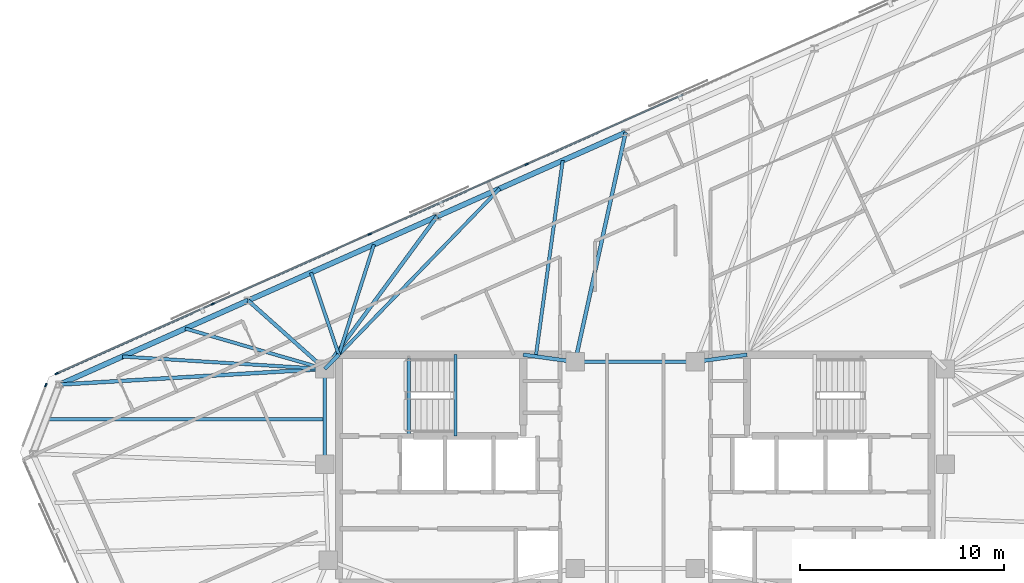
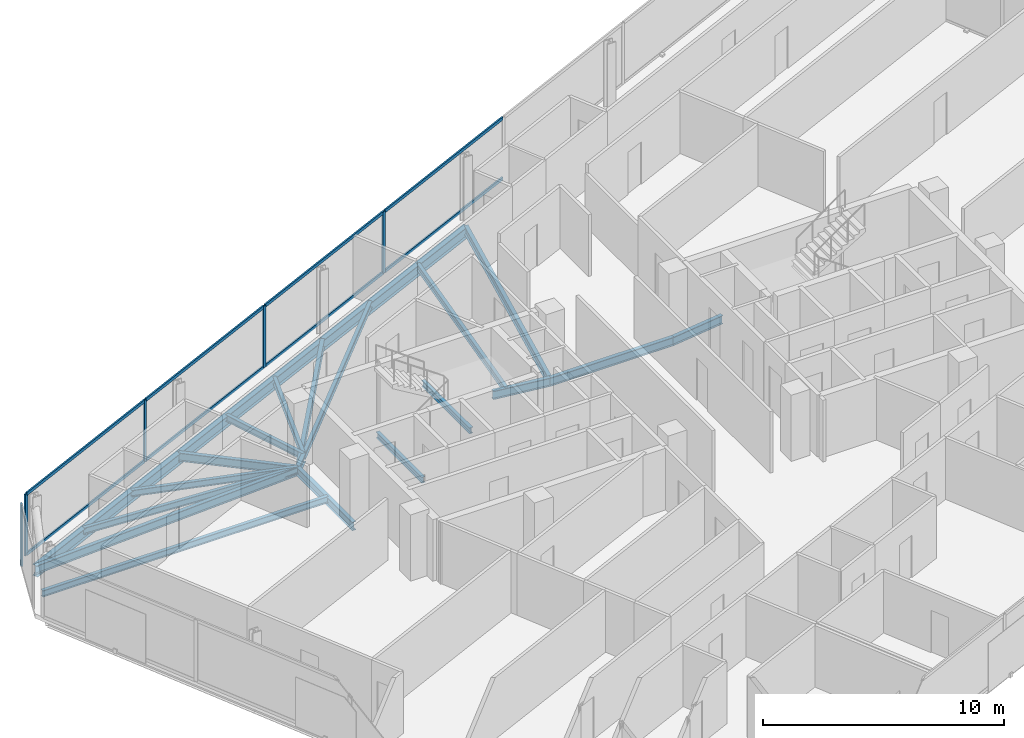
# One storey, part 9 of 19: 21 beams, 13 members, 2 elements without a shape of their own.
"""IFC4 building model written with IfcOpenShell, lengths in metres."""

from ifc_helpers import new_model, si_unit, direction, frame, origin, origin_2d, place, context, subcontext, project, spatial, rectangle, i_section, extrude, material, material_profile, profile_set, type_object, element, aggregate, save


model = new_model("IFC4")

# Units and contexts
model_context = context("Model", 3, precision=1e-05, world=origin(), true_north=direction((0.0, 1.0)))
body_context = subcontext(model_context, "Body", "Model", "MODEL_VIEW")
ifc_project = project(units=[si_unit("LENGTHUNIT", "METRE"), si_unit("AREAUNIT", "SQUARE_METRE"), si_unit("VOLUMEUNIT", "CUBIC_METRE"), si_unit("PLANEANGLEUNIT", "RADIAN"), si_unit("MASSUNIT", "GRAM", prefix="KILO")], contexts=[model_context])

# Site, building, storey
site_placement = place(None, origin())
site = spatial("IfcSite", under=ifc_project, at=site_placement, CompositionType="ELEMENT")
building_placement = place(site_placement, origin())
building = spatial("IfcBuilding", under=site, at=building_placement, Name="Menara Jurai Vektor", CompositionType="ELEMENT")
storey_placement = place(building_placement, frame((0.0, 0.0, 268.89990234375)))
storey = spatial("IfcBuildingStorey", under=building, at=storey_placement, Name="L72", CompositionType="ELEMENT", Elevation=268.89990234375)

# Curtain wall, members
ifc_material_1 = material(Name="Anodised Pale Aluminium & Low-E Double Glazing", Category="aluminium")
curtain_wall_type = type_object("IfcCurtainWallType", Name="CW-BLK5", PredefinedType="NOTDEFINED", material=ifc_material_1)
curtain_wall_1_placement = place(storey_placement, origin())
curtain_wall_1 = element("IfcCurtainWall", 1, at=curtain_wall_1_placement, inside=storey, type_object=curtain_wall_type, Name="Unitised Curtain Wall L72 F05", PredefinedType="NOTDEFINED")
ifc_material_2 = material(Name="Anodised Pale Aluminium Mullion", Category="aluminium")
ifc_material_profile_1 = material_profile(ifc_material_2, rectangle(XDim=0.074951171875, YDim=0.175048828125, at=origin_2d()), Name="ALU MUL 75x175")
ifc_profile_set_1 = profile_set([ifc_material_profile_1], Name="Anodised Pale Aluminium Mullion")
member_type_1 = type_object("IfcMemberType", Name="CW-BLK5-MUL", PredefinedType="MULLION", material=ifc_profile_set_1)
member_1_placement = place(storey_placement, frame((-5.327880859375, 14.957275390625, 0.0), z_axis=(0.0, 0.0, 1.0), x_axis=(0.406735498684, -0.913545967158, 0.0)))
member_1 = element("IfcMember", 2, at=member_1_placement, type_object=member_type_1, Name="CW-05 mullion 4", PredefinedType="MULLION", context=body_context, shape_type="SweptSolid", body=[
    extrude(rectangle(XDim=0.074951171875, YDim=0.175048828125, at=origin_2d()), origin(), (0.0, 0.0, 1.0), 3.125),
])
member_2_placement = place(storey_placement, frame((-13.038330078125, 11.5244140625, 0.0), z_axis=(0.0, 0.0, 1.0), x_axis=(0.406735498684, -0.913545967158, 0.0)))
member_2 = element("IfcMember", 3, at=member_2_placement, type_object=member_type_1, Name="CW-05 mullion 5", PredefinedType="MULLION", context=body_context, shape_type="SweptSolid", body=[
    extrude(rectangle(XDim=0.074951171875, YDim=0.175048828125, at=origin_2d()), origin(), (0.0, 0.0, 1.0), 3.125),
])
member_3_placement = place(storey_placement, frame((-20.748779296875, 8.091552734375, 0.0), z_axis=(0.0, 0.0, 1.0), x_axis=(0.406735498684, -0.913545967158, 0.0)))
member_3 = element("IfcMember", 4, at=member_3_placement, type_object=member_type_1, Name="CW-05 mullion 6", PredefinedType="MULLION", context=body_context, shape_type="SweptSolid", body=[
    extrude(rectangle(XDim=0.074951171875, YDim=0.175048828125, at=origin_2d()), origin(), (0.0, 0.0, 1.0), 3.125),
])
member_4_placement = place(storey_placement, frame((-28.4248046875, 4.674072265625, 0.0), z_axis=(0.0, 0.0, 1.0), x_axis=(0.406735498684, -0.913545967158, 0.0)))
member_4 = element("IfcMember", 5, at=member_4_placement, type_object=member_type_1, Name="CW-05 mullion 7", PredefinedType="MULLION", context=body_context, shape_type="SweptSolid", body=[
    extrude(rectangle(XDim=0.074951171875, YDim=0.175048828125, at=origin_2d()), origin(), (0.0, 0.0, 1.0), 3.125),
])

# Curtain wall, member
curtain_wall_2_placement = place(storey_placement, origin())
curtain_wall_2 = element("IfcCurtainWall", 6, at=curtain_wall_2_placement, inside=storey, type_object=curtain_wall_type, Name="Unitised Curtain Wall L72 F06", PredefinedType="NOTDEFINED")
member_5_placement = place(storey_placement, frame((-28.955810546875, 4.114501953125, 0.0), z_axis=(0.0, 0.0, 1.0), x_axis=(0.933578193639, -0.358373766287, 0.0)))
member_5 = element("IfcMember", 7, at=member_5_placement, type_object=member_type_1, Name="CW-05 mullion 1", PredefinedType="MULLION", context=body_context, shape_type="SweptSolid", body=[
    extrude(rectangle(XDim=0.074951171875, YDim=0.175048828125, at=origin_2d()), origin(), (0.0, 0.0, 1.0), 3.125),
])
aggregate(curtain_wall_2, [member_5])

# Member
ifc_material_3 = material(Name="Anodised Pale Aluminium Transom", Category="aluminium")
ifc_material_profile_2 = material_profile(ifc_material_3, rectangle(XDim=0.074951171875, YDim=0.155029296875, at=origin_2d()), Name="ALU TRN 75x155")
ifc_profile_set_2 = profile_set([ifc_material_profile_2], Name="Anodised Pale Aluminium Transom")
member_type_2 = type_object("IfcMemberType", Name="CW-BLK5-TRN", PredefinedType="USERDEFINED", material=ifc_profile_set_2)
member_6_placement = place(storey_placement, frame((2.34814453125, 18.375, 0.03759765625), z_axis=(-0.913546575494, -0.406734132331, 0.0), x_axis=(0.406734132331, -0.913546575494, 0.0)))
member_6 = element("IfcMember", 8, at=member_6_placement, type_object=member_type_2, Name="CW-05 transom 3.1", ObjectType="TRANSOM", PredefinedType="USERDEFINED", context=body_context, shape_type="SweptSolid", body=[
    extrude(rectangle(XDim=0.074951171875, YDim=0.155029296875, at=origin_2d()), origin(), (0.0, 0.0, 1.0), 8.364990234375),
])

member_7_placement = place(storey_placement, frame((2.34814453125, 18.375, 3.087646484375), z_axis=(-0.913546575494, -0.406734132331, 0.0), x_axis=(0.406734132331, -0.913546575494, 0.0)))
member_7 = element("IfcMember", 9, at=member_7_placement, type_object=member_type_2, Name="CW-05 transom 3.2", ObjectType="TRANSOM", PredefinedType="USERDEFINED", context=body_context, shape_type="SweptSolid", body=[
    extrude(rectangle(XDim=0.074951171875, YDim=0.155029296875, at=origin_2d()), origin(), (0.0, 0.0, 1.0), 8.364990234375),
])

member_8_placement = place(storey_placement, frame((-5.3623046875, 14.942138671875, 0.03759765625), z_axis=(-0.913546575494, -0.406734132331, 0.0), x_axis=(0.406734132331, -0.913546575494, 0.0)))
member_8 = element("IfcMember", 10, at=member_8_placement, type_object=member_type_2, Name="CW-05 transom 4.1", ObjectType="TRANSOM", PredefinedType="USERDEFINED", context=body_context, shape_type="SweptSolid", body=[
    extrude(rectangle(XDim=0.074951171875, YDim=0.155029296875, at=origin_2d()), origin(), (0.0, 0.0, 1.0), 8.364990234375),
])

member_9_placement = place(storey_placement, frame((-5.3623046875, 14.942138671875, 3.087646484375), z_axis=(-0.913546575494, -0.406734132331, 0.0), x_axis=(0.406734132331, -0.913546575494, 0.0)))
member_9 = element("IfcMember", 11, at=member_9_placement, type_object=member_type_2, Name="CW-05 transom 4.2", ObjectType="TRANSOM", PredefinedType="USERDEFINED", context=body_context, shape_type="SweptSolid", body=[
    extrude(rectangle(XDim=0.074951171875, YDim=0.155029296875, at=origin_2d()), origin(), (0.0, 0.0, 1.0), 8.364990234375),
])

member_10_placement = place(storey_placement, frame((-13.072509765625, 11.50927734375, 0.03759765625), z_axis=(-0.913546575494, -0.406734132331, 0.0), x_axis=(0.406734132331, -0.913546575494, 0.0)))
member_10 = element("IfcMember", 12, at=member_10_placement, type_object=member_type_2, Name="CW-05 transom 5.1", ObjectType="TRANSOM", PredefinedType="USERDEFINED", context=body_context, shape_type="SweptSolid", body=[
    extrude(rectangle(XDim=0.074951171875, YDim=0.155029296875, at=origin_2d()), origin(), (0.0, 0.0, 1.0), 8.364990234375),
])

member_11_placement = place(storey_placement, frame((-13.072509765625, 11.50927734375, 3.087646484375), z_axis=(-0.913546575494, -0.406734132331, 0.0), x_axis=(0.406734132331, -0.913546575494, 0.0)))
member_11 = element("IfcMember", 13, at=member_11_placement, type_object=member_type_2, Name="CW-05 transom 5.2", ObjectType="TRANSOM", PredefinedType="USERDEFINED", context=body_context, shape_type="SweptSolid", body=[
    extrude(rectangle(XDim=0.074951171875, YDim=0.155029296875, at=origin_2d()), origin(), (0.0, 0.0, 1.0), 8.364990234375),
])

member_12_placement = place(storey_placement, frame((-20.782958984375, 8.076416015625, 0.03759765625), z_axis=(-0.91353811338, -0.406753138159, 0.0), x_axis=(0.406753138159, -0.91353811338, 0.0)))
member_12 = element("IfcMember", 14, at=member_12_placement, type_object=member_type_2, Name="CW-05 transom 6.1", ObjectType="TRANSOM", PredefinedType="USERDEFINED", context=body_context, shape_type="SweptSolid", body=[
    extrude(rectangle(XDim=0.074951171875, YDim=0.155029296875, at=origin_2d()), origin(), (0.0, 0.0, 1.0), 8.327392578125),
])

member_13_placement = place(storey_placement, frame((-20.782958984375, 8.076416015625, 3.087646484375), z_axis=(-0.91353811338, -0.406753138159, 0.0), x_axis=(0.406753138159, -0.91353811338, 0.0)))
member_13 = element("IfcMember", 15, at=member_13_placement, type_object=member_type_2, Name="CW-05 transom 6.2", ObjectType="TRANSOM", PredefinedType="USERDEFINED", context=body_context, shape_type="SweptSolid", body=[
    extrude(rectangle(XDim=0.074951171875, YDim=0.155029296875, at=origin_2d()), origin(), (0.0, 0.0, 1.0), 8.327392578125),
])

aggregate(curtain_wall_1, [member_1, member_2, member_3, member_4, member_6, member_7, member_8, member_9, member_10, member_11, member_12, member_13])

# Beams
ifc_material_4 = material(Name="Steel S355", Category="steel")
ifc_material_profile_3 = material_profile(ifc_material_4, i_section(OverallWidth=0.18505859375, OverallDepth=0.429931640625, WebThickness=0.010986328125, FlangeThickness=0.01806640625, at=origin_2d()), Name="PG 430x185x76")
ifc_profile_set_3 = profile_set([ifc_material_profile_3], Name="Steel S355")
beam_type_1 = type_object("IfcBeamType", Name="STR-BM-430", PredefinedType="BEAM", material=ifc_profile_set_3)
beam_1_placement = place(storey_placement, frame((-15.25, 4.89990234375, -0.43994140625), z_axis=(0.701871936926, 0.712303154672, 0.0), x_axis=(-0.712303154672, 0.701871936926, 0.0)))
element("IfcBeam", 16, at=beam_1_placement, inside=storey, type_object=beam_type_1, Name="Core Ring Header Girder L72-CHW-N1", PredefinedType="BEAM", context=body_context, shape_type="SweptSolid", body=[
    extrude(i_section(OverallWidth=0.18505859375, OverallDepth=0.429931640625, WebThickness=0.010986328125, FlangeThickness=0.01806640625, at=origin_2d()), origin(), (0.0, 0.0, 1.0), 0.98291015625),
])
beam_2_placement = place(storey_placement, frame((-5.5, 5.60009765625, -0.43994140625), z_axis=(0.990706818608, -0.136014703483, 0.0), x_axis=(0.136014703483, 0.990706818608, 0.0)))
element("IfcBeam", 17, at=beam_2_placement, inside=storey, type_object=beam_type_1, Name="Core Ring Header Girder L72-CHW-N2", PredefinedType="BEAM", context=body_context, shape_type="SweptSolid", body=[
    extrude(i_section(OverallWidth=0.18505859375, OverallDepth=0.429931640625, WebThickness=0.010986328125, FlangeThickness=0.01806640625, at=origin_2d()), origin(), (0.0, 0.0, 1.0), 2.573974609375),
])
beam_3_placement = place(storey_placement, frame((-15.25, 0.219970703125, -0.43994140625), z_axis=(0.0, 1.0, 0.0), x_axis=(-1.0, 0.0, 0.0)))
element("IfcBeam", 18, at=beam_3_placement, inside=storey, type_object=beam_type_1, Name="Core Ring Header Girder L72-CHW-W1", PredefinedType="BEAM", context=body_context, shape_type="SweptSolid", body=[
    extrude(i_section(OverallWidth=0.18505859375, OverallDepth=0.429931640625, WebThickness=0.010986328125, FlangeThickness=0.01806640625, at=origin_2d()), origin(), (0.0, 0.0, 1.0), 4.679931640625),
])
beam_4_placement = place(storey_placement, frame((2.949951171875, 5.25, -0.43994140625), z_axis=(0.990706818608, 0.136014703483, 0.0), x_axis=(-0.136014703483, 0.990706818608, 0.0)))
element("IfcBeam", 19, at=beam_4_placement, inside=storey, type_object=beam_type_1, Name="Core Ring Header Girder L72-CHE-N1", PredefinedType="BEAM", context=body_context, shape_type="SweptSolid", body=[
    extrude(i_section(OverallWidth=0.18505859375, OverallDepth=0.429931640625, WebThickness=0.010986328125, FlangeThickness=0.01806640625, at=origin_2d()), origin(), (0.0, 0.0, 1.0), 2.573974609375),
])
beam_5_placement = place(storey_placement, frame((-2.949951171875, 5.25, -0.43994140625), z_axis=(1.0, 0.0, 0.0), x_axis=(0.0, 1.0, 0.0)))
element("IfcBeam", 20, at=beam_5_placement, inside=storey, type_object=beam_type_1, Name="Core Ring Header Girder L72-CC-2", PredefinedType="BEAM", context=body_context, shape_type="SweptSolid", body=[
    extrude(i_section(OverallWidth=0.18505859375, OverallDepth=0.429931640625, WebThickness=0.010986328125, FlangeThickness=0.01806640625, at=origin_2d()), origin(), (0.0, 0.0, 1.0), 5.89990234375),
])
beam_6_placement = place(storey_placement, frame((-0.467529296875, 16.519287109375, -0.43994140625), z_axis=(-0.215124522255, -0.976586626943, 0.0), x_axis=(0.976586626943, -0.215124522255, 0.0)))
element("IfcBeam", 21, at=beam_6_placement, inside=storey, type_object=beam_type_1, Name="Radial Floor Girder L72-N3", PredefinedType="BEAM", context=body_context, shape_type="SweptSolid", body=[
    extrude(i_section(OverallWidth=0.18505859375, OverallDepth=0.429931640625, WebThickness=0.010986328125, FlangeThickness=0.01806640625, at=origin_2d()), origin(), (0.0, 0.0, 1.0), 11.53955078125),
])
beam_7_placement = place(storey_placement, frame((-9.740966796875, 12.390380859375, -0.43994140625), z_axis=(-0.592483178081, -0.805582822366, 0.0), x_axis=(0.805582822366, -0.592483178081, 0.0)))
element("IfcBeam", 22, at=beam_7_placement, inside=storey, type_object=beam_type_1, Name="Radial Floor Girder L72-N4", PredefinedType="BEAM", context=body_context, shape_type="SweptSolid", body=[
    extrude(i_section(OverallWidth=0.18505859375, OverallDepth=0.429931640625, WebThickness=0.010986328125, FlangeThickness=0.01806640625, at=origin_2d()), origin(), (0.0, 0.0, 1.0), 9.298095703125),
])
beam_8_placement = place(storey_placement, frame((-19.0146484375, 8.26171875, -0.43994140625), z_axis=(0.745886163995, -0.666073442167, 0.0), x_axis=(0.666073442167, 0.745886163995, 0.0)))
element("IfcBeam", 23, at=beam_8_placement, inside=storey, type_object=beam_type_1, Name="Radial Floor Girder L72-N5", PredefinedType="BEAM", context=body_context, shape_type="SweptSolid", body=[
    extrude(i_section(OverallWidth=0.18505859375, OverallDepth=0.429931640625, WebThickness=0.010986328125, FlangeThickness=0.01806640625, at=origin_2d()), origin(), (0.0, 0.0, 1.0), 5.047119140625),
])
beam_9_placement = place(storey_placement, frame((-28.2880859375, 4.1328125, -0.43994140625), z_axis=(0.998273728533, 0.058732979834, 0.0), x_axis=(-0.058732979834, 0.998273728533, 0.0)))
element("IfcBeam", 24, at=beam_9_placement, inside=storey, type_object=beam_type_1, Name="Radial Floor Girder L72-N6", PredefinedType="BEAM", context=body_context, shape_type="SweptSolid", body=[
    extrude(i_section(OverallWidth=0.18505859375, OverallDepth=0.429931640625, WebThickness=0.010986328125, FlangeThickness=0.01806640625, at=origin_2d()), origin(), (0.0, 0.0, 1.0), 13.060546875),
])
ifc_material_profile_4 = material_profile(ifc_material_4, i_section(OverallWidth=0.1650390625, OverallDepth=0.330078125, WebThickness=0.009033203125, FlangeThickness=0.013916015625, at=origin_2d()), Name="PG 330x165x46")
ifc_profile_set_4 = profile_set([ifc_material_profile_4], Name="Steel S355")
beam_type_2 = type_object("IfcBeamType", Name="STR-JS-330", PredefinedType="JOIST", material=ifc_profile_set_4)
beam_10_placement = place(storey_placement, frame((-3.55859375, 15.14306640625, -0.389892578125), z_axis=(-0.135981954601, -0.990711314169, 0.0), x_axis=(0.990711314169, -0.135981954601, 0.0)))
element("IfcBeam", 25, at=beam_10_placement, inside=storey, type_object=beam_type_2, Name="Radial Secondary Floor Joist L72-JS19", PredefinedType="JOIST", context=body_context, shape_type="SweptSolid", body=[
    extrude(i_section(OverallWidth=0.1650390625, OverallDepth=0.330078125, WebThickness=0.009033203125, FlangeThickness=0.013916015625, at=origin_2d()), origin(), (0.0, 0.0, 1.0), 9.718505859375),
])
beam_11_placement = place(storey_placement, frame((-6.64990234375, 13.766845703125, -0.389892578125), z_axis=(-0.695732556791, -0.718300918433, 0.0), x_axis=(0.718300918433, -0.695732556791, 0.0)))
element("IfcBeam", 26, at=beam_11_placement, inside=storey, type_object=beam_type_2, Name="Radial Secondary Floor Joist L72-JS20", PredefinedType="JOIST", context=body_context, shape_type="SweptSolid", body=[
    extrude(i_section(OverallWidth=0.1650390625, OverallDepth=0.330078125, WebThickness=0.009033203125, FlangeThickness=0.013916015625, at=origin_2d()), origin(), (0.0, 0.0, 1.0), 11.36962890625),
])
beam_12_placement = place(storey_placement, frame((-12.832275390625, 11.01416015625, -0.389892578125), z_axis=(-0.304022753529, -0.952664770702, 0.0), x_axis=(0.952664770702, -0.304022753529, 0.0)))
element("IfcBeam", 27, at=beam_12_placement, inside=storey, type_object=beam_type_2, Name="Radial Secondary Floor Joist L72-JS21", PredefinedType="JOIST", context=body_context, shape_type="SweptSolid", body=[
    extrude(i_section(OverallWidth=0.1650390625, OverallDepth=0.330078125, WebThickness=0.009033203125, FlangeThickness=0.013916015625, at=origin_2d()), origin(), (0.0, 0.0, 1.0), 5.68310546875),
])
beam_13_placement = place(storey_placement, frame((-15.92333984375, 9.637939453125, -0.389892578125), z_axis=(0.319885998438, -0.947456040143, 0.0), x_axis=(0.947456040143, 0.319885998438, 0.0)))
element("IfcBeam", 28, at=beam_13_placement, inside=storey, type_object=beam_type_2, Name="Radial Secondary Floor Joist L72-JS22", PredefinedType="JOIST", context=body_context, shape_type="SweptSolid", body=[
    extrude(i_section(OverallWidth=0.1650390625, OverallDepth=0.330078125, WebThickness=0.009033203125, FlangeThickness=0.013916015625, at=origin_2d()), origin(), (0.0, 0.0, 1.0), 4.26171875),
])
beam_14_placement = place(storey_placement, frame((-22.105712890625, 6.885498046875, -0.389892578125), z_axis=(0.960525066064, -0.278193453306, 0.0), x_axis=(0.278193453306, 0.960525066064, 0.0)))
element("IfcBeam", 29, at=beam_14_placement, inside=storey, type_object=beam_type_2, Name="Radial Secondary Floor Joist L72-JS23", PredefinedType="JOIST", context=body_context, shape_type="SweptSolid", body=[
    extrude(i_section(OverallWidth=0.1650390625, OverallDepth=0.330078125, WebThickness=0.009033203125, FlangeThickness=0.013916015625, at=origin_2d()), origin(), (0.0, 0.0, 1.0), 7.137451171875),
])
beam_15_placement = place(storey_placement, frame((-25.197021484375, 5.509033203125, -0.389892578125), z_axis=(0.998130240593, -0.061123013776, 0.0), x_axis=(0.061123013776, 0.998130240593, 0.0)))
element("IfcBeam", 30, at=beam_15_placement, inside=storey, type_object=beam_type_2, Name="Radial Secondary Floor Joist L72-JS24", PredefinedType="JOIST", context=body_context, shape_type="SweptSolid", body=[
    extrude(i_section(OverallWidth=0.1650390625, OverallDepth=0.330078125, WebThickness=0.009033203125, FlangeThickness=0.013916015625, at=origin_2d()), origin(), (0.0, 0.0, 1.0), 9.965576171875),
])
beam_16_placement = place(storey_placement, frame((-28.93994140625, 2.434814453125, -0.389892578125), z_axis=(1.0, 0.0, 0.0), x_axis=(0.0, 1.0, 0.0)))
element("IfcBeam", 31, at=beam_16_placement, inside=storey, type_object=beam_type_2, Name="Radial Secondary Floor Joist L72-JS25", PredefinedType="JOIST", context=body_context, shape_type="SweptSolid", body=[
    extrude(i_section(OverallWidth=0.1650390625, OverallDepth=0.330078125, WebThickness=0.009033203125, FlangeThickness=0.013916015625, at=origin_2d()), origin(), (0.0, 0.0, 1.0), 13.68994140625),
])
ifc_material_profile_5 = material_profile(ifc_material_4, i_section(OverallWidth=0.1650390625, OverallDepth=0.302978515625, WebThickness=0.006103515625, FlangeThickness=0.010009765625, FilletRadius=0.009033203125, at=origin_2d()), Name="UKB 305x165x40")
ifc_profile_set_5 = profile_set([ifc_material_profile_5], Name="Steel S355")
beam_type_3 = type_object("IfcBeamType", Name="STR-LN-305", PredefinedType="LINTEL", material=ifc_profile_set_5)
beam_17_placement = place(storey_placement, frame((-11.1201171875, 1.60009765625, -0.37646484375), z_axis=(0.0, 1.0, 0.0), x_axis=(-1.0, 0.0, 0.0)))
element("IfcBeam", 32, at=beam_17_placement, inside=storey, type_object=beam_type_3, Name="Stair Well Floor Trimmer ST1 L72", PredefinedType="LINTEL", context=body_context, shape_type="SweptSolid", body=[
    extrude(i_section(OverallWidth=0.1650390625, OverallDepth=0.302978515625, WebThickness=0.006103515625, FlangeThickness=0.010009765625, FilletRadius=0.009033203125, at=origin_2d()), origin(), (0.0, 0.0, 1.0), 3.81982421875),
])
beam_18_placement = place(storey_placement, frame((-8.830078125, 1.60009765625, 1.323486328125), z_axis=(0.0, 1.0, 0.0), x_axis=(-1.0, 0.0, 0.0)))
element("IfcBeam", 33, at=beam_18_placement, inside=storey, type_object=beam_type_3, Name="Stair Half-Landing Nosing Trimmer ST1-1 L72", PredefinedType="LINTEL", context=body_context, shape_type="SweptSolid", body=[
    extrude(i_section(OverallWidth=0.1650390625, OverallDepth=0.302978515625, WebThickness=0.006103515625, FlangeThickness=0.010009765625, FilletRadius=0.009033203125, at=origin_2d()), origin(), (0.0, 0.0, 1.0), 4.0),
])
ifc_material_profile_6 = material_profile(ifc_material_4, i_section(OverallWidth=0.260009765625, OverallDepth=0.570068359375, WebThickness=0.013916015625, FlangeThickness=0.02392578125, at=origin_2d()), Name="PG 570x260x145")
ifc_profile_set_6 = profile_set([ifc_material_profile_6], Name="Steel S355")
beam_type_4 = type_object("IfcBeamType", Name="STR-SP-570", PredefinedType="SPANDREL", material=ifc_profile_set_6)
for number, where, z_axis, x_axis, name in (
    (34, (-0.467529296875, 16.519287109375, -0.510009765625), (-0.913541582548, -0.406745346568, 0.0), (0.406745346568, -0.913541582548, 0.0), "Exoskeleton Spandrel Beam L72-13"),
    (35, (-9.740966796875, 12.390380859375, -0.510009765625), (-0.913554497648, -0.406716338284, 0.0), (0.406716338284, -0.913554497648, 0.0), "Exoskeleton Spandrel Beam L72-14"),
    (36, (-19.0146484375, 8.26171875, -0.510009765625), (-0.913541582548, -0.406745346568, 0.0), (0.406745346568, -0.913541582548, 0.0), "Exoskeleton Spandrel Beam L72-15"),
):
    element("IfcBeam", number, at=place(storey_placement, frame(where, z_axis=z_axis, x_axis=x_axis)), inside=storey, type_object=beam_type_4, Name=name, PredefinedType="SPANDREL", context=body_context, shape_type="SweptSolid", body=[
        extrude(i_section(OverallWidth=0.260009765625, OverallDepth=0.570068359375, WebThickness=0.013916015625, FlangeThickness=0.02392578125, at=origin_2d()), origin(), (0.0, 0.0, 1.0), 10.151123046875),
    ])

save(model, "model.ifc")
